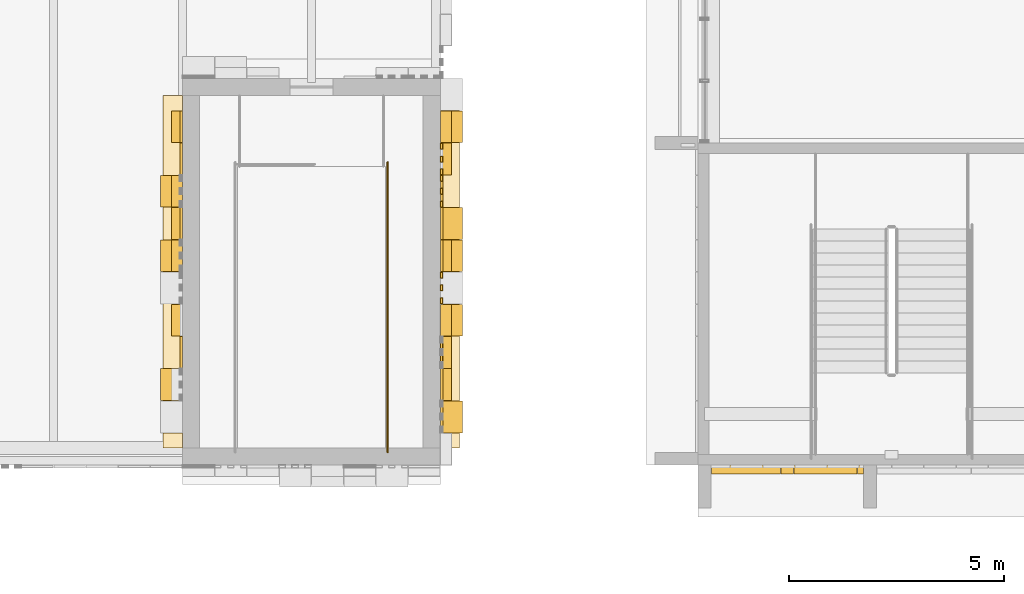
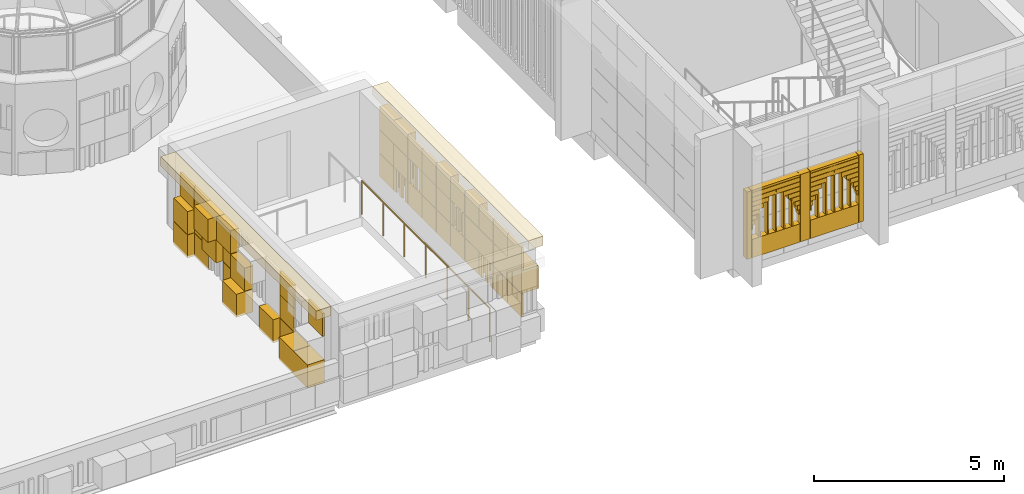
# One storey, part 84 of 98: 12 coverings, 1 railing.
"""IFC4 building model written with IfcOpenShell, lengths in metres."""

from ifc_helpers import new_model, si_unit, direction, frame, origin, origin_2d, place, context, subcontext, project, spatial, rectangle, circle, extrude, material, layer, layer_set, type_object, element, save


model = new_model("IFC4")

# Units and contexts
model_context = context("Model", 3, precision=1e-05, world=origin(), true_north=direction((0.0, 1.0)))
body_context = subcontext(model_context, "Body", "Model", "MODEL_VIEW")
ifc_project = project(units=[si_unit("LENGTHUNIT", "METRE"), si_unit("AREAUNIT", "SQUARE_METRE"), si_unit("VOLUMEUNIT", "CUBIC_METRE"), si_unit("PLANEANGLEUNIT", "RADIAN"), si_unit("MASSUNIT", "GRAM", prefix="KILO")], contexts=[model_context])

# Site, building, storey
site_placement = place(None, origin())
site = spatial("IfcSite", under=ifc_project, at=site_placement, CompositionType="ELEMENT")
building_placement = place(site_placement, origin())
building = spatial("IfcBuilding", under=site, at=building_placement, Name="Sun Court Science Centre", CompositionType="ELEMENT")
storey_placement = place(building_placement, frame((0.0, 0.0, 15.75)))
storey = spatial("IfcBuildingStorey", under=building, at=storey_placement, Name="L03", CompositionType="ELEMENT", Elevation=15.75)

# Covering
ifc_material_1 = material(Name="Red sandstone", Category="masonry")
ifc_layer_1 = layer(ifc_material_1, 0.199951171875)
ifc_layer_set_1 = layer_set([ifc_layer_1], Name="Red sandstone")
covering_type_1 = type_object("IfcCoveringType", Name="Arched jali screen 200", PredefinedType="CLADDING", material=ifc_layer_set_1)
covering_1_placement = place(storey_placement, frame((0.0, 0.0, -15.75)))
element("IfcCovering", 1, at=covering_1_placement, inside=storey, type_object=covering_type_1, Name="Arched jali screen south L03 01", PredefinedType="CLADDING", context=body_context, shape_type="SweptSolid", body=[
    extrude(rectangle(XDim=0.139892578125, YDim=0.199951171875, at=origin_2d()), frame((78.375, 5.89990234375, 16.054931640625), z_axis=(0.0, 0.0, 1.0), x_axis=(1.0, 0.0, 0.0)), (0.0, 0.0, 1.0), 2.16748046875),
    extrude(rectangle(XDim=0.2900390625, YDim=0.199951171875, at=origin_2d()), frame((80.074951171875, 5.89990234375, 16.054931640625), z_axis=(0.0, 0.0, 1.0), x_axis=(1.0, 0.0, 0.0)), (0.0, 0.0, 1.0), 2.16748046875),
    extrude(rectangle(XDim=0.139892578125, YDim=0.199951171875, at=origin_2d()), frame((81.77490234375, 5.89990234375, 16.054931640625), z_axis=(0.0, 0.0, 1.0), x_axis=(1.0, 0.0, 0.0)), (0.0, 0.0, 1.0), 2.16748046875),
    extrude(rectangle(XDim=1.465087890625, YDim=0.199951171875, at=origin_2d()), frame((79.1875, 5.89990234375, 16.05517578125), z_axis=(0.0, 0.0, 1.0), x_axis=(1.0, 0.0, 0.0)), (0.0, 0.0, 1.0), 0.590087890625),
    extrude(rectangle(XDim=0.03857421875, YDim=0.199951171875, at=origin_2d()), frame((78.47412109375, 5.89990234375, 16.955078125), z_axis=(0.0, 0.0, 1.0), x_axis=(1.0, 0.0, 0.0)), (0.0, 0.0, 1.0), 0.139892578125),
    extrude(rectangle(XDim=0.03857421875, YDim=0.199951171875, at=origin_2d()), frame((79.90087890625, 5.89990234375, 16.955078125), z_axis=(0.0, 0.0, 1.0), x_axis=(1.0, 0.0, 0.0)), (0.0, 0.0, 1.0), 0.139892578125),
    extrude(rectangle(XDim=0.086669921875, YDim=0.199951171875, at=origin_2d()), frame((78.498291015625, 5.89990234375, 17.10498046875), z_axis=(0.0, 0.0, 1.0), x_axis=(1.0, 0.0, 0.0)), (0.0, 0.0, 1.0), 0.139892578125),
    extrude(rectangle(XDim=0.086669921875, YDim=0.199951171875, at=origin_2d()), frame((79.876708984375, 5.89990234375, 17.10498046875), z_axis=(0.0, 0.0, 1.0), x_axis=(1.0, 0.0, 0.0)), (0.0, 0.0, 1.0), 0.139892578125),
    extrude(rectangle(XDim=0.153564453125, YDim=0.199951171875, at=origin_2d()), frame((78.53173828125, 5.89990234375, 17.2548828125), z_axis=(0.0, 0.0, 1.0), x_axis=(1.0, 0.0, 0.0)), (0.0, 0.0, 1.0), 0.139892578125),
    extrude(rectangle(XDim=0.153564453125, YDim=0.199951171875, at=origin_2d()), frame((79.84326171875, 5.89990234375, 17.2548828125), z_axis=(0.0, 0.0, 1.0), x_axis=(1.0, 0.0, 0.0)), (0.0, 0.0, 1.0), 0.139892578125),
    extrude(rectangle(XDim=0.2421875, YDim=0.199951171875, at=origin_2d()), frame((78.576171875, 5.89990234375, 17.4052734375), z_axis=(0.0, 0.0, 1.0), x_axis=(1.0, 0.0, 0.0)), (0.0, 0.0, 1.0), 0.139892578125),
    extrude(rectangle(XDim=0.2421875, YDim=0.199951171875, at=origin_2d()), frame((79.798828125, 5.89990234375, 17.4052734375), z_axis=(0.0, 0.0, 1.0), x_axis=(1.0, 0.0, 0.0)), (0.0, 0.0, 1.0), 0.139892578125),
    extrude(rectangle(XDim=0.358154296875, YDim=0.199951171875, at=origin_2d()), frame((78.634033203125, 5.89990234375, 17.55517578125), z_axis=(0.0, 0.0, 1.0), x_axis=(1.0, 0.0, 0.0)), (0.0, 0.0, 1.0), 0.139892578125),
    extrude(rectangle(XDim=0.358154296875, YDim=0.199951171875, at=origin_2d()), frame((79.740966796875, 5.89990234375, 17.55517578125), z_axis=(0.0, 0.0, 1.0), x_axis=(1.0, 0.0, 0.0)), (0.0, 0.0, 1.0), 0.139892578125),
    extrude(rectangle(XDim=0.510986328125, YDim=0.199951171875, at=origin_2d()), frame((78.71044921875, 5.89990234375, 17.705078125), z_axis=(0.0, 0.0, 1.0), x_axis=(1.0, 0.0, 0.0)), (0.0, 0.0, 1.0), 0.139892578125),
    extrude(rectangle(XDim=0.510986328125, YDim=0.199951171875, at=origin_2d()), frame((79.66455078125, 5.89990234375, 17.705078125), z_axis=(0.0, 0.0, 1.0), x_axis=(1.0, 0.0, 0.0)), (0.0, 0.0, 1.0), 0.139892578125),
    extrude(rectangle(XDim=0.723388671875, YDim=0.199951171875, at=origin_2d()), frame((78.816650390625, 5.89990234375, 17.85498046875), z_axis=(0.0, 0.0, 1.0), x_axis=(1.0, 0.0, 0.0)), (0.0, 0.0, 1.0), 0.139892578125),
    extrude(rectangle(XDim=0.723388671875, YDim=0.199951171875, at=origin_2d()), frame((79.558349609375, 5.89990234375, 17.85498046875), z_axis=(0.0, 0.0, 1.0), x_axis=(1.0, 0.0, 0.0)), (0.0, 0.0, 1.0), 0.139892578125),
    extrude(rectangle(XDim=1.465087890625, YDim=0.199951171875, at=origin_2d()), frame((79.1875, 5.89990234375, 18.0048828125), z_axis=(0.0, 0.0, 1.0), x_axis=(1.0, 0.0, 0.0)), (0.0, 0.0, 1.0), 0.139892578125),
    extrude(rectangle(XDim=1.465087890625, YDim=0.199951171875, at=origin_2d()), frame((79.1875, 5.89990234375, 18.155029296875), z_axis=(0.0, 0.0, 1.0), x_axis=(1.0, 0.0, 0.0)), (0.0, 0.0, 1.0), 0.0673828125),
    extrude(rectangle(XDim=0.0400390625, YDim=0.199951171875, at=origin_2d()), frame((78.69580078125, 5.89990234375, 16.65478515625), z_axis=(0.0, 0.0, 1.0), x_axis=(1.0, 0.0, 0.0)), (0.0, 0.0, 1.0), 0.805419921875),
    extrude(rectangle(XDim=0.0400390625, YDim=0.199951171875, at=origin_2d()), frame((78.941650390625, 5.89990234375, 16.655029296875), z_axis=(0.0, 0.0, 1.0), x_axis=(1.0, 0.0, 0.0)), (0.0, 0.0, 1.0), 1.08935546875),
    extrude(rectangle(XDim=0.0400390625, YDim=0.199951171875, at=origin_2d()), frame((79.1875, 5.89990234375, 16.65478515625), z_axis=(0.0, 0.0, 1.0), x_axis=(1.0, 0.0, 0.0)), (0.0, 0.0, 1.0), 1.267333984375),
    extrude(rectangle(XDim=0.0400390625, YDim=0.199951171875, at=origin_2d()), frame((79.433349609375, 5.89990234375, 16.655029296875), z_axis=(0.0, 0.0, 1.0), x_axis=(1.0, 0.0, 0.0)), (0.0, 0.0, 1.0), 1.08935546875),
    extrude(rectangle(XDim=0.0400390625, YDim=0.199951171875, at=origin_2d()), frame((79.67919921875, 5.89990234375, 16.65478515625), z_axis=(0.0, 0.0, 1.0), x_axis=(1.0, 0.0, 0.0)), (0.0, 0.0, 1.0), 0.805419921875),
    extrude(rectangle(XDim=1.465087890625, YDim=0.199951171875, at=origin_2d()), frame((80.96240234375, 5.89990234375, 16.05517578125), z_axis=(0.0, 0.0, 1.0), x_axis=(1.0, 0.0, 0.0)), (0.0, 0.0, 1.0), 0.590087890625),
    extrude(rectangle(XDim=0.03857421875, YDim=0.199951171875, at=origin_2d()), frame((80.249267578125, 5.89990234375, 16.955078125), z_axis=(0.0, 0.0, 1.0), x_axis=(1.0, 0.0, 0.0)), (0.0, 0.0, 1.0), 0.139892578125),
    extrude(rectangle(XDim=0.03857421875, YDim=0.199951171875, at=origin_2d()), frame((81.67578125, 5.89990234375, 16.955078125), z_axis=(0.0, 0.0, 1.0), x_axis=(1.0, 0.0, 0.0)), (0.0, 0.0, 1.0), 0.139892578125),
    extrude(rectangle(XDim=0.086669921875, YDim=0.199951171875, at=origin_2d()), frame((80.273193359375, 5.89990234375, 17.10498046875), z_axis=(0.0, 0.0, 1.0), x_axis=(1.0, 0.0, 0.0)), (0.0, 0.0, 1.0), 0.139892578125),
    extrude(rectangle(XDim=0.086669921875, YDim=0.199951171875, at=origin_2d()), frame((81.651611328125, 5.89990234375, 17.10498046875), z_axis=(0.0, 0.0, 1.0), x_axis=(1.0, 0.0, 0.0)), (0.0, 0.0, 1.0), 0.139892578125),
    extrude(rectangle(XDim=0.153564453125, YDim=0.199951171875, at=origin_2d()), frame((80.306640625, 5.89990234375, 17.2548828125), z_axis=(0.0, 0.0, 1.0), x_axis=(1.0, 0.0, 0.0)), (0.0, 0.0, 1.0), 0.139892578125),
    extrude(rectangle(XDim=0.153564453125, YDim=0.199951171875, at=origin_2d()), frame((81.6181640625, 5.89990234375, 17.2548828125), z_axis=(0.0, 0.0, 1.0), x_axis=(1.0, 0.0, 0.0)), (0.0, 0.0, 1.0), 0.139892578125),
    extrude(rectangle(XDim=0.2421875, YDim=0.199951171875, at=origin_2d()), frame((80.35107421875, 5.89990234375, 17.4052734375), z_axis=(0.0, 0.0, 1.0), x_axis=(1.0, 0.0, 0.0)), (0.0, 0.0, 1.0), 0.139892578125),
    extrude(rectangle(XDim=0.2421875, YDim=0.199951171875, at=origin_2d()), frame((81.57373046875, 5.89990234375, 17.4052734375), z_axis=(0.0, 0.0, 1.0), x_axis=(1.0, 0.0, 0.0)), (0.0, 0.0, 1.0), 0.139892578125),
    extrude(rectangle(XDim=0.358154296875, YDim=0.199951171875, at=origin_2d()), frame((80.4091796875, 5.89990234375, 17.55517578125), z_axis=(0.0, 0.0, 1.0), x_axis=(1.0, 0.0, 0.0)), (0.0, 0.0, 1.0), 0.139892578125),
    extrude(rectangle(XDim=0.358154296875, YDim=0.199951171875, at=origin_2d()), frame((81.515869140625, 5.89990234375, 17.55517578125), z_axis=(0.0, 0.0, 1.0), x_axis=(1.0, 0.0, 0.0)), (0.0, 0.0, 1.0), 0.139892578125),
    extrude(rectangle(XDim=0.510986328125, YDim=0.199951171875, at=origin_2d()), frame((80.485595703125, 5.89990234375, 17.705078125), z_axis=(0.0, 0.0, 1.0), x_axis=(1.0, 0.0, 0.0)), (0.0, 0.0, 1.0), 0.139892578125),
    extrude(rectangle(XDim=0.510986328125, YDim=0.199951171875, at=origin_2d()), frame((81.439453125, 5.89990234375, 17.705078125), z_axis=(0.0, 0.0, 1.0), x_axis=(1.0, 0.0, 0.0)), (0.0, 0.0, 1.0), 0.139892578125),
    extrude(rectangle(XDim=0.723388671875, YDim=0.199951171875, at=origin_2d()), frame((80.591796875, 5.89990234375, 17.85498046875), z_axis=(0.0, 0.0, 1.0), x_axis=(1.0, 0.0, 0.0)), (0.0, 0.0, 1.0), 0.139892578125),
    extrude(rectangle(XDim=0.723388671875, YDim=0.199951171875, at=origin_2d()), frame((81.333251953125, 5.89990234375, 17.85498046875), z_axis=(0.0, 0.0, 1.0), x_axis=(1.0, 0.0, 0.0)), (0.0, 0.0, 1.0), 0.139892578125),
    extrude(rectangle(XDim=1.465087890625, YDim=0.199951171875, at=origin_2d()), frame((80.96240234375, 5.89990234375, 18.0048828125), z_axis=(0.0, 0.0, 1.0), x_axis=(1.0, 0.0, 0.0)), (0.0, 0.0, 1.0), 0.139892578125),
    extrude(rectangle(XDim=1.465087890625, YDim=0.199951171875, at=origin_2d()), frame((80.96240234375, 5.89990234375, 18.155029296875), z_axis=(0.0, 0.0, 1.0), x_axis=(1.0, 0.0, 0.0)), (0.0, 0.0, 1.0), 0.0673828125),
    extrude(rectangle(XDim=0.0400390625, YDim=0.199951171875, at=origin_2d()), frame((80.470947265625, 5.89990234375, 16.65478515625), z_axis=(0.0, 0.0, 1.0), x_axis=(1.0, 0.0, 0.0)), (0.0, 0.0, 1.0), 0.805419921875),
    extrude(rectangle(XDim=0.0400390625, YDim=0.199951171875, at=origin_2d()), frame((80.716552734375, 5.89990234375, 16.655029296875), z_axis=(0.0, 0.0, 1.0), x_axis=(1.0, 0.0, 0.0)), (0.0, 0.0, 1.0), 1.08935546875),
    extrude(rectangle(XDim=0.0400390625, YDim=0.199951171875, at=origin_2d()), frame((80.96240234375, 5.89990234375, 16.65478515625), z_axis=(0.0, 0.0, 1.0), x_axis=(1.0, 0.0, 0.0)), (0.0, 0.0, 1.0), 1.267333984375),
    extrude(rectangle(XDim=0.0400390625, YDim=0.199951171875, at=origin_2d()), frame((81.208251953125, 5.89990234375, 16.655029296875), z_axis=(0.0, 0.0, 1.0), x_axis=(1.0, 0.0, 0.0)), (0.0, 0.0, 1.0), 1.08935546875),
    extrude(rectangle(XDim=0.0400390625, YDim=0.199951171875, at=origin_2d()), frame((81.4541015625, 5.89990234375, 16.65478515625), z_axis=(0.0, 0.0, 1.0), x_axis=(1.0, 0.0, 0.0)), (0.0, 0.0, 1.0), 0.805419921875),
])

# Railing
ifc_material_2 = material(Name="Steel S275", Category="steel")
railing_type = type_object("IfcRailingType", Name="Guard 1100 steel balustrade", PredefinedType="GUARDRAIL", material=ifc_material_2)
railing_placement = place(storey_placement, frame((70.77294921875, 13.052001953125, 0.0)))
element("IfcRailing", 2, at=railing_placement, inside=storey, type_object=railing_type, Name="L03 SB3 top well guard 3", PredefinedType="GUARDRAIL", context=body_context, shape_type="SweptSolid", body=[
    extrude(circle(Radius=0.02392578125, at=origin_2d()), frame((0.0, 0.0, 1.076171875), z_axis=(0.0, -1.0, 0.0), x_axis=(1.0, 0.0, 0.0)), (0.0, 0.0, 1.0), 6.751953125),
    extrude(circle(Radius=0.02099609375, at=origin_2d()), origin(), (0.0, 0.0, 1.0), 1.052001953125),
    extrude(circle(Radius=0.02099609375, at=origin_2d()), frame((0.0, -1.125244140625, 0.0)), (0.0, 0.0, 1.0), 1.052001953125),
    extrude(circle(Radius=0.02099609375, at=origin_2d()), frame((0.0, -2.250732421875, 0.0)), (0.0, 0.0, 1.0), 1.052001953125),
    extrude(circle(Radius=0.02099609375, at=origin_2d()), frame((0.0, -3.3759765625, 0.0)), (0.0, 0.0, 1.0), 1.052001953125),
    extrude(circle(Radius=0.02099609375, at=origin_2d()), frame((0.0, -4.501220703125, 0.0)), (0.0, 0.0, 1.0), 1.052001953125),
    extrude(circle(Radius=0.02099609375, at=origin_2d()), frame((0.0, -5.626708984375, 0.0)), (0.0, 0.0, 1.0), 1.052001953125),
    extrude(circle(Radius=0.02099609375, at=origin_2d()), frame((0.0, -6.751953125, 0.0)), (0.0, 0.0, 1.0), 1.052001953125),
])

# Coverings
ifc_material_3 = material(Name="Terracotta panel", Category="masonry")
ifc_layer_2 = layer(ifc_material_3, 0.449951171875)
ifc_layer_set_2 = layer_set([ifc_layer_2], Name="Terracotta panel")
covering_type_2 = type_object("IfcCoveringType", Name="Terracotta cornice 450", PredefinedType="CLADDING", material=ifc_layer_set_2)
covering_2_placement = place(storey_placement, frame((0.0, 0.0, -15.75)))
element("IfcCovering", 3, at=covering_2_placement, inside=storey, type_object=covering_type_2, Name="Terracotta cornice east face of core L03", PredefinedType="CLADDING", context=body_context, shape_type="SweptSolid", body=[
    extrude(rectangle(XDim=8.199951171875, YDim=0.449951171875, at=origin_2d()), frame((72.22509765625, 10.5, 18.2001953125), z_axis=(0.0, 0.0, 1.0), x_axis=(0.0, -1.0, 0.0)), (0.0, 0.0, 1.0), 0.300048828125),
])
covering_3_placement = place(storey_placement, frame((0.0, 0.0, -15.75)))
element("IfcCovering", 4, at=covering_3_placement, inside=storey, type_object=covering_type_2, Name="Terracotta cornice west face of core L03", PredefinedType="CLADDING", context=body_context, shape_type="SweptSolid", body=[
    extrude(rectangle(XDim=8.199951171875, YDim=0.449951171875, at=origin_2d()), frame((65.77490234375, 10.5, 18.2001953125), z_axis=(0.0, 0.0, 1.0), x_axis=(0.0, 1.0, 0.0)), (0.0, 0.0, 1.0), 0.300048828125),
])
ifc_material_4 = material(Name="Terracotta jali", Category="masonry")
ifc_layer_3 = layer(ifc_material_4, 0.06005859375)
ifc_layer_set_3 = layer_set([ifc_layer_3], Name="Terracotta jali")
covering_type_3 = type_object("IfcCoveringType", Name="Terracotta open jali panel", PredefinedType="CLADDING", material=ifc_layer_set_3)
covering_4_placement = place(storey_placement, frame((0.0, 0.0, -15.75)))
element("IfcCovering", 5, at=covering_4_placement, inside=storey, type_object=covering_type_3, Name="Open jali pixel cladding east face of core L03", PredefinedType="CLADDING", context=body_context, shape_type="SweptSolid", body=[
    extrude(rectangle(XDim=0.139892578125, YDim=0.06005859375, at=origin_2d()), frame((72.030029296875, 13.425048828125, 15.830078125), z_axis=(0.0, 0.0, 1.0), x_axis=(0.0, -1.0, 0.0)), (0.0, 0.0, 1.0), 0.739990234375),
    extrude(rectangle(XDim=0.139892578125, YDim=0.06005859375, at=origin_2d()), frame((72.030029296875, 13.125, 15.830078125), z_axis=(0.0, 0.0, 1.0), x_axis=(0.0, -1.0, 0.0)), (0.0, 0.0, 1.0), 0.739990234375),
    extrude(rectangle(XDim=0.139892578125, YDim=0.06005859375, at=origin_2d()), frame((72.030029296875, 12.824951171875, 15.830078125), z_axis=(0.0, 0.0, 1.0), x_axis=(0.0, -1.0, 0.0)), (0.0, 0.0, 1.0), 0.739990234375),
    extrude(rectangle(XDim=0.139892578125, YDim=0.06005859375, at=origin_2d()), frame((72.030029296875, 8.925048828125, 15.830078125), z_axis=(0.0, 0.0, 1.0), x_axis=(0.0, -1.0, 0.0)), (0.0, 0.0, 1.0), 0.739990234375),
    extrude(rectangle(XDim=0.139892578125, YDim=0.06005859375, at=origin_2d()), frame((72.030029296875, 8.625, 15.830078125), z_axis=(0.0, 0.0, 1.0), x_axis=(0.0, -1.0, 0.0)), (0.0, 0.0, 1.0), 0.739990234375),
    extrude(rectangle(XDim=0.139892578125, YDim=0.06005859375, at=origin_2d()), frame((72.030029296875, 8.324951171875, 15.830078125), z_axis=(0.0, 0.0, 1.0), x_axis=(0.0, -1.0, 0.0)), (0.0, 0.0, 1.0), 0.739990234375),
    extrude(rectangle(XDim=0.139892578125, YDim=0.06005859375, at=origin_2d()), frame((72.030029296875, 12.675048828125, 16.580078125), z_axis=(0.0, 0.0, 1.0), x_axis=(0.0, -1.0, 0.0)), (0.0, 0.0, 1.0), 0.739990234375),
    extrude(rectangle(XDim=0.139892578125, YDim=0.06005859375, at=origin_2d()), frame((72.030029296875, 12.375, 16.580078125), z_axis=(0.0, 0.0, 1.0), x_axis=(0.0, -1.0, 0.0)), (0.0, 0.0, 1.0), 0.739990234375),
    extrude(rectangle(XDim=0.139892578125, YDim=0.06005859375, at=origin_2d()), frame((72.030029296875, 12.074951171875, 16.580078125), z_axis=(0.0, 0.0, 1.0), x_axis=(0.0, -1.0, 0.0)), (0.0, 0.0, 1.0), 0.739990234375),
    extrude(rectangle(XDim=0.139892578125, YDim=0.06005859375, at=origin_2d()), frame((72.030029296875, 10.425048828125, 16.580078125), z_axis=(0.0, 0.0, 1.0), x_axis=(0.0, -1.0, 0.0)), (0.0, 0.0, 1.0), 0.739990234375),
    extrude(rectangle(XDim=0.139892578125, YDim=0.06005859375, at=origin_2d()), frame((72.030029296875, 10.125, 16.580078125), z_axis=(0.0, 0.0, 1.0), x_axis=(0.0, -1.0, 0.0)), (0.0, 0.0, 1.0), 0.739990234375),
    extrude(rectangle(XDim=0.139892578125, YDim=0.06005859375, at=origin_2d()), frame((72.030029296875, 9.824951171875, 16.580078125), z_axis=(0.0, 0.0, 1.0), x_axis=(0.0, -1.0, 0.0)), (0.0, 0.0, 1.0), 0.739990234375),
    extrude(rectangle(XDim=0.739990234375, YDim=0.06005859375, at=origin_2d()), frame((72.030029296875, 8.625, 17.330078125), z_axis=(0.0, 0.0, 1.0), x_axis=(0.0, -1.0, 0.0)), (0.0, 0.0, 1.0), 0.739990234375),
])
ifc_material_5 = material(Name="Terracotta shade 1", Category="masonry")
ifc_layer_4 = layer(ifc_material_5, 0.06005859375)
ifc_layer_set_4 = layer_set([ifc_layer_4], Name="Terracotta shade 1")
covering_type_4 = type_object("IfcCoveringType", Name="Terracotta pixel panel shade 1", PredefinedType="CLADDING", material=ifc_layer_set_4)
covering_5_placement = place(storey_placement, frame((0.0, 0.0, -15.75)))
element("IfcCovering", 6, at=covering_5_placement, inside=storey, type_object=covering_type_4, Name="Terracotta pixel cladding shade 1 east face of core L03", PredefinedType="CLADDING", context=body_context, shape_type="SweptSolid", body=[
    extrude(rectangle(XDim=0.739990234375, YDim=0.06005859375, at=origin_2d()), frame((72.030029296875, 10.125, 15.830078125), z_axis=(0.0, 0.0, 1.0), x_axis=(0.0, -1.0, 0.0)), (0.0, 0.0, 1.0), 0.739990234375),
    extrude(rectangle(XDim=0.739990234375, YDim=0.510009765625, at=origin_2d()), frame((72.2548828125, 9.375, 15.830078125), z_axis=(0.0, 0.0, 1.0), x_axis=(0.0, -1.0, 0.0)), (0.0, 0.0, 1.0), 0.739990234375),
    extrude(rectangle(XDim=0.739990234375, YDim=0.06005859375, at=origin_2d()), frame((72.030029296875, 7.125, 15.830078125), z_axis=(0.0, 0.0, 1.0), x_axis=(0.0, -1.0, 0.0)), (0.0, 0.0, 1.0), 0.739990234375),
    extrude(rectangle(XDim=0.739990234375, YDim=0.06005859375, at=origin_2d()), frame((72.030029296875, 13.875, 16.580078125), z_axis=(0.0, 0.0, 1.0), x_axis=(0.0, -1.0, 0.0)), (0.0, 0.0, 1.0), 0.739990234375),
    extrude(rectangle(XDim=0.739990234375, YDim=0.06005859375, at=origin_2d()), frame((72.030029296875, 7.875, 16.580078125), z_axis=(0.0, 0.0, 1.0), x_axis=(0.0, -1.0, 0.0)), (0.0, 0.0, 1.0), 0.739990234375),
    extrude(rectangle(XDim=0.739990234375, YDim=0.510009765625, at=origin_2d()), frame((72.2548828125, 7.125, 16.580078125), z_axis=(0.0, 0.0, 1.0), x_axis=(0.0, -1.0, 0.0)), (0.0, 0.0, 1.0), 0.739990234375),
    extrude(rectangle(XDim=0.739990234375, YDim=0.06005859375, at=origin_2d()), frame((72.030029296875, 12.375, 17.330078125), z_axis=(0.0, 0.0, 1.0), x_axis=(0.0, -1.0, 0.0)), (0.0, 0.0, 1.0), 0.739990234375),
    extrude(rectangle(XDim=0.739990234375, YDim=0.06005859375, at=origin_2d()), frame((72.030029296875, 10.125, 17.330078125), z_axis=(0.0, 0.0, 1.0), x_axis=(0.0, -1.0, 0.0)), (0.0, 0.0, 1.0), 0.739990234375),
    extrude(rectangle(XDim=0.739990234375, YDim=0.06005859375, at=origin_2d()), frame((72.030029296875, 7.125, 17.330078125), z_axis=(0.0, 0.0, 1.0), x_axis=(0.0, -1.0, 0.0)), (0.0, 0.0, 1.0), 0.739990234375),
    extrude(rectangle(XDim=0.739990234375, YDim=0.510009765625, at=origin_2d()), frame((72.2548828125, 13.875, 15.830078125), z_axis=(0.0, 0.0, 1.0), x_axis=(0.0, -1.0, 0.0)), (0.0, 0.0, 1.0), 0.739990234375),
])
covering_6_placement = place(storey_placement, frame((0.0, 0.0, -15.75)))
element("IfcCovering", 7, at=covering_6_placement, inside=storey, type_object=covering_type_4, Name="Terracotta pixel cladding shade 1 west face of core L03", PredefinedType="CLADDING", context=body_context, shape_type="SweptSolid", body=[
    extrude(rectangle(XDim=0.739990234375, YDim=0.260009765625, at=origin_2d()), frame((65.8701171875, 9.375, 15.830078125), z_axis=(0.0, 0.0, 1.0), x_axis=(0.0, 1.0, 0.0)), (0.0, 0.0, 1.0), 0.739990234375),
    extrude(rectangle(XDim=0.739990234375, YDim=0.06005859375, at=origin_2d()), frame((65.969970703125, 11.625, 15.830078125), z_axis=(0.0, 0.0, 1.0), x_axis=(0.0, 1.0, 0.0)), (0.0, 0.0, 1.0), 0.739990234375),
    extrude(rectangle(XDim=0.739990234375, YDim=0.06005859375, at=origin_2d()), frame((65.969970703125, 13.125, 15.830078125), z_axis=(0.0, 0.0, 1.0), x_axis=(0.0, 1.0, 0.0)), (0.0, 0.0, 1.0), 0.739990234375),
    extrude(rectangle(XDim=0.739990234375, YDim=0.06005859375, at=origin_2d()), frame((65.969970703125, 8.625, 16.580078125), z_axis=(0.0, 0.0, 1.0), x_axis=(0.0, 1.0, 0.0)), (0.0, 0.0, 1.0), 0.739990234375),
    extrude(rectangle(XDim=0.739990234375, YDim=0.06005859375, at=origin_2d()), frame((65.969970703125, 11.625, 16.580078125), z_axis=(0.0, 0.0, 1.0), x_axis=(0.0, 1.0, 0.0)), (0.0, 0.0, 1.0), 0.739990234375),
    extrude(rectangle(XDim=0.739990234375, YDim=0.260009765625, at=origin_2d()), frame((65.8701171875, 12.375, 16.580078125), z_axis=(0.0, 0.0, 1.0), x_axis=(0.0, 1.0, 0.0)), (0.0, 0.0, 1.0), 0.739990234375),
    extrude(rectangle(XDim=0.739990234375, YDim=0.06005859375, at=origin_2d()), frame((65.969970703125, 13.125, 16.580078125), z_axis=(0.0, 0.0, 1.0), x_axis=(0.0, 1.0, 0.0)), (0.0, 0.0, 1.0), 0.739990234375),
    extrude(rectangle(XDim=0.739990234375, YDim=0.06005859375, at=origin_2d()), frame((65.969970703125, 7.125, 17.330078125), z_axis=(0.0, 0.0, 1.0), x_axis=(0.0, 1.0, 0.0)), (0.0, 0.0, 1.0), 0.739990234375),
    extrude(rectangle(XDim=0.739990234375, YDim=0.06005859375, at=origin_2d()), frame((65.969970703125, 13.125, 17.330078125), z_axis=(0.0, 0.0, 1.0), x_axis=(0.0, 1.0, 0.0)), (0.0, 0.0, 1.0), 0.739990234375),
])
ifc_material_6 = material(Name="Terracotta shade 2", Category="masonry")
ifc_layer_5 = layer(ifc_material_6, 0.06005859375)
ifc_layer_set_5 = layer_set([ifc_layer_5], Name="Terracotta shade 2")
covering_type_5 = type_object("IfcCoveringType", Name="Terracotta pixel panel shade 2", PredefinedType="CLADDING", material=ifc_layer_set_5)
covering_7_placement = place(storey_placement, frame((0.0, 0.0, -15.75)))
element("IfcCovering", 8, at=covering_7_placement, inside=storey, type_object=covering_type_5, Name="Terracotta pixel cladding shade 2 east face of core L03", PredefinedType="CLADDING", context=body_context, shape_type="SweptSolid", body=[
    extrude(rectangle(XDim=0.739990234375, YDim=0.510009765625, at=origin_2d()), frame((72.2548828125, 10.875, 15.830078125), z_axis=(0.0, 0.0, 1.0), x_axis=(0.0, -1.0, 0.0)), (0.0, 0.0, 1.0), 0.739990234375),
    extrude(rectangle(XDim=0.739990234375, YDim=0.260009765625, at=origin_2d()), frame((72.1298828125, 7.875, 15.830078125), z_axis=(0.0, 0.0, 1.0), x_axis=(0.0, -1.0, 0.0)), (0.0, 0.0, 1.0), 0.739990234375),
    extrude(rectangle(XDim=0.739990234375, YDim=0.06005859375, at=origin_2d()), frame((72.030029296875, 11.625, 16.580078125), z_axis=(0.0, 0.0, 1.0), x_axis=(0.0, -1.0, 0.0)), (0.0, 0.0, 1.0), 0.739990234375),
    extrude(rectangle(XDim=0.739990234375, YDim=0.06005859375, at=origin_2d()), frame((72.030029296875, 9.375, 16.580078125), z_axis=(0.0, 0.0, 1.0), x_axis=(0.0, -1.0, 0.0)), (0.0, 0.0, 1.0), 0.739990234375),
    extrude(rectangle(XDim=0.739990234375, YDim=0.260009765625, at=origin_2d()), frame((72.1298828125, 8.625, 16.580078125), z_axis=(0.0, 0.0, 1.0), x_axis=(0.0, -1.0, 0.0)), (0.0, 0.0, 1.0), 0.739990234375),
])
covering_8_placement = place(storey_placement, frame((0.0, 0.0, -15.75)))
element("IfcCovering", 9, at=covering_8_placement, inside=storey, type_object=covering_type_5, Name="Terracotta pixel cladding shade 2 west face of core L03", PredefinedType="CLADDING", context=body_context, shape_type="SweptSolid", body=[
    extrude(rectangle(XDim=0.739990234375, YDim=0.260009765625, at=origin_2d()), frame((65.8701171875, 13.875, 15.830078125), z_axis=(0.0, 0.0, 1.0), x_axis=(0.0, 1.0, 0.0)), (0.0, 0.0, 1.0), 0.739990234375),
    extrude(rectangle(XDim=0.739990234375, YDim=0.260009765625, at=origin_2d()), frame((65.8701171875, 10.875, 16.580078125), z_axis=(0.0, 0.0, 1.0), x_axis=(0.0, 1.0, 0.0)), (0.0, 0.0, 1.0), 0.739990234375),
    extrude(rectangle(XDim=0.739990234375, YDim=0.06005859375, at=origin_2d()), frame((65.969970703125, 8.625, 17.330078125), z_axis=(0.0, 0.0, 1.0), x_axis=(0.0, 1.0, 0.0)), (0.0, 0.0, 1.0), 0.739990234375),
    extrude(rectangle(XDim=0.739990234375, YDim=0.260009765625, at=origin_2d()), frame((65.8701171875, 11.625, 17.330078125), z_axis=(0.0, 0.0, 1.0), x_axis=(0.0, 1.0, 0.0)), (0.0, 0.0, 1.0), 0.739990234375),
    extrude(rectangle(XDim=0.739990234375, YDim=0.510009765625, at=origin_2d()), frame((65.7451171875, 12.375, 17.330078125), z_axis=(0.0, 0.0, 1.0), x_axis=(0.0, 1.0, 0.0)), (0.0, 0.0, 1.0), 0.739990234375),
    extrude(rectangle(XDim=0.739990234375, YDim=0.06005859375, at=origin_2d()), frame((65.969970703125, 13.875, 17.330078125), z_axis=(0.0, 0.0, 1.0), x_axis=(0.0, 1.0, 0.0)), (0.0, 0.0, 1.0), 0.739990234375),
])
ifc_material_7 = material(Name="Terracotta shade 3", Category="masonry")
ifc_layer_6 = layer(ifc_material_7, 0.06005859375)
ifc_layer_set_6 = layer_set([ifc_layer_6], Name="Terracotta shade 3")
covering_type_6 = type_object("IfcCoveringType", Name="Terracotta pixel panel shade 3", PredefinedType="CLADDING", material=ifc_layer_set_6)
covering_9_placement = place(storey_placement, frame((0.0, 0.0, -15.75)))
element("IfcCovering", 10, at=covering_9_placement, inside=storey, type_object=covering_type_6, Name="Terracotta pixel cladding shade 3 east face of core L03", PredefinedType="CLADDING", context=body_context, shape_type="SweptSolid", body=[
    extrude(rectangle(XDim=0.739990234375, YDim=0.06005859375, at=origin_2d()), frame((72.030029296875, 12.375, 15.830078125), z_axis=(0.0, 0.0, 1.0), x_axis=(0.0, -1.0, 0.0)), (0.0, 0.0, 1.0), 0.739990234375),
    extrude(rectangle(XDim=0.739990234375, YDim=0.260009765625, at=origin_2d()), frame((72.1298828125, 13.125, 16.580078125), z_axis=(0.0, 0.0, 1.0), x_axis=(0.0, -1.0, 0.0)), (0.0, 0.0, 1.0), 0.739990234375),
    extrude(rectangle(XDim=0.739990234375, YDim=0.06005859375, at=origin_2d()), frame((72.030029296875, 11.625, 17.330078125), z_axis=(0.0, 0.0, 1.0), x_axis=(0.0, -1.0, 0.0)), (0.0, 0.0, 1.0), 0.739990234375),
    extrude(rectangle(XDim=0.739990234375, YDim=0.260009765625, at=origin_2d()), frame((72.1298828125, 9.375, 17.330078125), z_axis=(0.0, 0.0, 1.0), x_axis=(0.0, -1.0, 0.0)), (0.0, 0.0, 1.0), 0.739990234375),
])
covering_10_placement = place(storey_placement, frame((0.0, 0.0, -15.75)))
element("IfcCovering", 11, at=covering_10_placement, inside=storey, type_object=covering_type_6, Name="Terracotta pixel cladding shade 3 west face of core L03", PredefinedType="CLADDING", context=body_context, shape_type="SweptSolid", body=[
    extrude(rectangle(XDim=0.739990234375, YDim=0.510009765625, at=origin_2d()), frame((65.7451171875, 7.125, 15.830078125), z_axis=(0.0, 0.0, 1.0), x_axis=(0.0, 1.0, 0.0)), (0.0, 0.0, 1.0), 0.739990234375),
    extrude(rectangle(XDim=0.739990234375, YDim=0.510009765625, at=origin_2d()), frame((65.7451171875, 7.875, 15.830078125), z_axis=(0.0, 0.0, 1.0), x_axis=(0.0, 1.0, 0.0)), (0.0, 0.0, 1.0), 0.739990234375),
    extrude(rectangle(XDim=0.739990234375, YDim=0.06005859375, at=origin_2d()), frame((65.969970703125, 8.625, 15.830078125), z_axis=(0.0, 0.0, 1.0), x_axis=(0.0, 1.0, 0.0)), (0.0, 0.0, 1.0), 0.739990234375),
    extrude(rectangle(XDim=0.739990234375, YDim=0.510009765625, at=origin_2d()), frame((65.7451171875, 10.875, 15.830078125), z_axis=(0.0, 0.0, 1.0), x_axis=(0.0, 1.0, 0.0)), (0.0, 0.0, 1.0), 0.739990234375),
    extrude(rectangle(XDim=0.739990234375, YDim=0.260009765625, at=origin_2d()), frame((65.8701171875, 13.875, 16.580078125), z_axis=(0.0, 0.0, 1.0), x_axis=(0.0, 1.0, 0.0)), (0.0, 0.0, 1.0), 0.739990234375),
])
ifc_material_8 = material(Name="Terracotta shade 4", Category="masonry")
ifc_layer_7 = layer(ifc_material_8, 0.06005859375)
ifc_layer_set_7 = layer_set([ifc_layer_7], Name="Terracotta shade 4")
covering_type_7 = type_object("IfcCoveringType", Name="Terracotta pixel panel shade 4", PredefinedType="CLADDING", material=ifc_layer_set_7)
covering_11_placement = place(storey_placement, frame((0.0, 0.0, -15.75)))
element("IfcCovering", 12, at=covering_11_placement, inside=storey, type_object=covering_type_7, Name="Terracotta pixel cladding shade 4 east face of core L03", PredefinedType="CLADDING", context=body_context, shape_type="SweptSolid", body=[
    extrude(rectangle(XDim=0.739990234375, YDim=0.06005859375, at=origin_2d()), frame((72.030029296875, 10.875, 16.580078125), z_axis=(0.0, 0.0, 1.0), x_axis=(0.0, -1.0, 0.0)), (0.0, 0.0, 1.0), 0.739990234375),
    extrude(rectangle(XDim=0.739990234375, YDim=0.260009765625, at=origin_2d()), frame((72.1298828125, 13.875, 17.330078125), z_axis=(0.0, 0.0, 1.0), x_axis=(0.0, -1.0, 0.0)), (0.0, 0.0, 1.0), 0.739990234375),
    extrude(rectangle(XDim=0.739990234375, YDim=0.260009765625, at=origin_2d()), frame((72.1298828125, 13.125, 17.330078125), z_axis=(0.0, 0.0, 1.0), x_axis=(0.0, -1.0, 0.0)), (0.0, 0.0, 1.0), 0.739990234375),
    extrude(rectangle(XDim=0.739990234375, YDim=0.06005859375, at=origin_2d()), frame((72.030029296875, 7.875, 17.330078125), z_axis=(0.0, 0.0, 1.0), x_axis=(0.0, -1.0, 0.0)), (0.0, 0.0, 1.0), 0.739990234375),
])
ifc_material_9 = material(Name="Terracotta shade 5", Category="masonry")
ifc_layer_8 = layer(ifc_material_9, 0.06005859375)
ifc_layer_set_8 = layer_set([ifc_layer_8], Name="Terracotta shade 5")
covering_type_8 = type_object("IfcCoveringType", Name="Terracotta pixel panel shade 5", PredefinedType="CLADDING", material=ifc_layer_set_8)
covering_12_placement = place(storey_placement, frame((0.0, 0.0, -15.75)))
element("IfcCovering", 13, at=covering_12_placement, inside=storey, type_object=covering_type_8, Name="Terracotta pixel cladding shade 5 east face of core L03", PredefinedType="CLADDING", context=body_context, shape_type="SweptSolid", body=[
    extrude(rectangle(XDim=0.739990234375, YDim=0.510009765625, at=origin_2d()), frame((72.2548828125, 11.625, 15.830078125), z_axis=(0.0, 0.0, 1.0), x_axis=(0.0, -1.0, 0.0)), (0.0, 0.0, 1.0), 0.739990234375),
    extrude(rectangle(XDim=0.739990234375, YDim=0.260009765625, at=origin_2d()), frame((72.1298828125, 10.875, 17.330078125), z_axis=(0.0, 0.0, 1.0), x_axis=(0.0, -1.0, 0.0)), (0.0, 0.0, 1.0), 0.739990234375),
])

save(model, "model.ifc")
